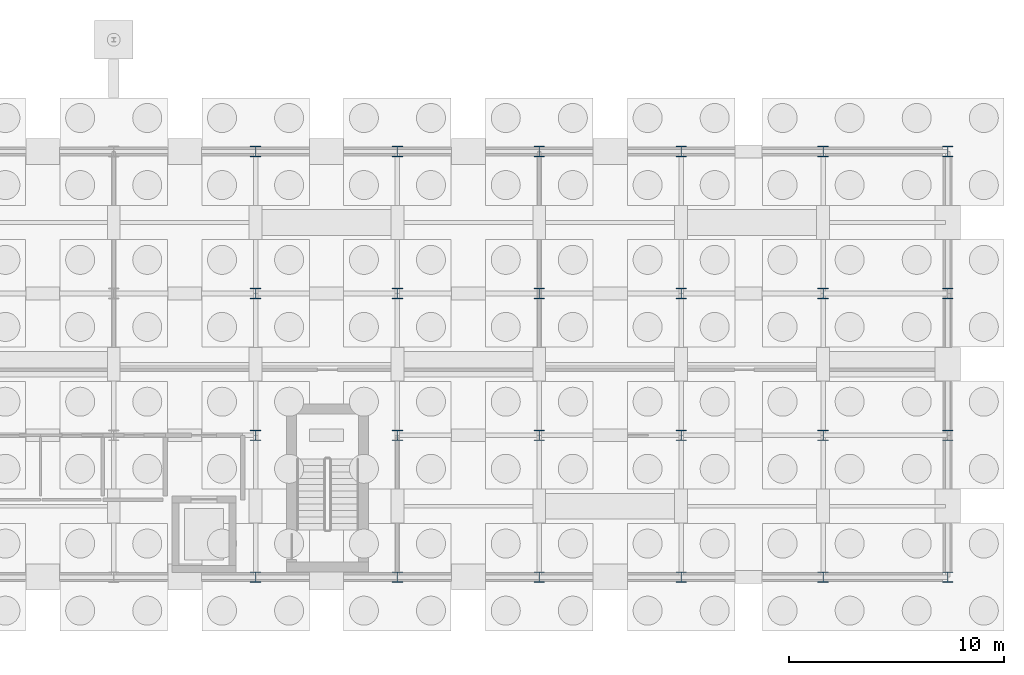
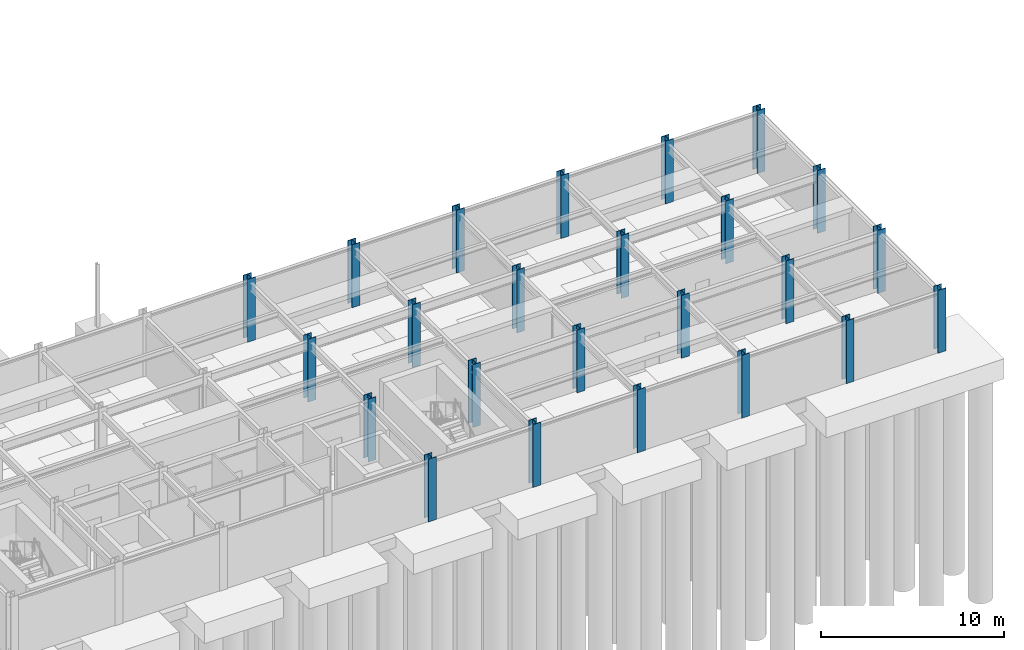
# One storey, part 22 of 58: 24 columns.
"""IFC4 building model written with IfcOpenShell, lengths in metres."""

from ifc_helpers import new_model, si_unit, direction, frame, origin, origin_2d, place, context, subcontext, project, spatial, i_section, extrude, material, material_profile, profile_set, type_object, element, save


model = new_model("IFC4")

# Units and contexts
model_context = context("Model", 3, precision=1e-05, world=origin(), true_north=direction((0.0, 1.0)))
body_context = subcontext(model_context, "Body", "Model", "MODEL_VIEW")
ifc_project = project(units=[si_unit("LENGTHUNIT", "METRE"), si_unit("AREAUNIT", "SQUARE_METRE"), si_unit("VOLUMEUNIT", "CUBIC_METRE"), si_unit("PLANEANGLEUNIT", "RADIAN"), si_unit("MASSUNIT", "GRAM", prefix="KILO")], contexts=[model_context])

# Site, building, storey
site_placement = place(None, origin())
site = spatial("IfcSite", under=ifc_project, at=site_placement, CompositionType="ELEMENT")
building_placement = place(site_placement, origin())
building = spatial("IfcBuilding", under=site, at=building_placement, Name="Karori Crest Natural Sciences Institute", CompositionType="ELEMENT")
storey_placement = place(building_placement, frame((0.0, 0.0, -4.199951171875)))
storey = spatial("IfcBuildingStorey", under=building, at=storey_placement, Name="B1", CompositionType="ELEMENT", Elevation=-4.199951171875)

# Columns
ifc_material = material(Name="Structural steel AS/NZS 3679.1 Grade 350", Category="steel")
ifc_material_profile = material_profile(ifc_material, i_section(OverallWidth=0.5, OverallDepth=0.5, WebThickness=0.02197265625, FlangeThickness=0.0400390625, FilletRadius=0.01611328125, at=origin_2d()), Name="500WC440")
ifc_profile_set = profile_set([ifc_material_profile], Name="Structural steel AS/NZS 3679.1 Grade 350")
column_type = type_object("IfcColumnType", Name="CT-01", PredefinedType="COLUMN", material=ifc_profile_set)
for number, where, z_axis, x_axis, name in (
    (1, (130.0, 0.800048828125, 0.0), (0.0, 0.0, 1.0), (1.0, 0.0, 0.0), "Column C-1209"),
    (2, (130.0, 7.39990234375, 0.0), (0.0, 0.0, 1.0), (1.0, 0.0, 0.0), "Column C-1221"),
    (3, (130.0, 14.0, 0.0), (0.0, 0.0, 1.0), (1.0, 0.0, 0.0), "Column C-1233"),
    (4, (130.0, 20.60009765625, 0.0), (0.0, 0.0, 1.0), (1.0, 0.0, 0.0), "Column C-1245"),
    (5, (136.60009765625, 0.800048828125, 0.0), (0.0, 0.0, 1.0), (1.0, 0.0, 0.0), "Column C-1257"),
    (6, (136.60009765625, 7.39990234375, 0.0), (0.0, 0.0, 1.0), (1.0, 0.0, 0.0), "Column C-1269"),
    (7, (136.60009765625, 14.0, 0.0), (0.0, 0.0, 1.0), (1.0, 0.0, 0.0), "Column C-1281"),
    (8, (136.60009765625, 20.60009765625, 0.0), (0.0, 0.0, 1.0), (1.0, 0.0, 0.0), "Column C-1293"),
    (9, (143.199951171875, 0.800048828125, 0.0), (0.0, 0.0, 1.0), (1.0, 0.0, 0.0), "Column C-1305"),
    (10, (143.199951171875, 7.39990234375, 0.0), (0.0, 0.0, 1.0), (1.0, 0.0, 0.0), "Column C-1316"),
    (11, (143.199951171875, 14.0, 0.0), (0.0, 0.0, 1.0), (1.0, 0.0, 0.0), "Column C-1327"),
    (12, (143.199951171875, 20.60009765625, 0.0), (0.0, 0.0, 1.0), (1.0, 0.0, 0.0), "Column C-1338"),
    (13, (149.800048828125, 0.800048828125, 0.0), (0.0, 0.0, 1.0), (1.0, 0.0, 0.0), "Column C-1349"),
    (14, (149.800048828125, 7.39990234375, 0.0), (0.0, 0.0, 1.0), (1.0, 0.0, 0.0), "Column C-1360"),
    (15, (149.800048828125, 14.0, 0.0), (0.0, 0.0, 1.0), (1.0, 0.0, 0.0), "Column C-1371"),
    (16, (149.800048828125, 20.60009765625, 0.0), (0.0, 0.0, 1.0), (1.0, 0.0, 0.0), "Column C-1382"),
    (17, (156.39990234375, 0.800048828125, 0.0), (0.0, 0.0, 1.0), (1.0, 0.0, 0.0), "Column C-1393"),
    (18, (156.39990234375, 7.39990234375, 0.0), (0.0, 0.0, 1.0), (1.0, 0.0, 0.0), "Column C-1402"),
    (19, (156.39990234375, 14.0, 0.0), (0.0, 0.0, 1.0), (1.0, 0.0, 0.0), "Column C-1411"),
    (20, (156.39990234375, 20.60009765625, 0.0), (0.0, 0.0, 1.0), (1.0, 0.0, 0.0), "Column C-1420"),
    (21, (162.199951171875, 0.800048828125, 0.0), (0.0, 0.0, 1.0), (1.0, 0.0, 0.0), "Column C-1429"),
    (22, (162.199951171875, 7.39990234375, 0.0), (0.0, 0.0, 1.0), (1.0, 0.0, 0.0), "Column C-1436"),
    (23, (162.199951171875, 14.0, 0.0), (0.0, 0.0, 1.0), (1.0, 0.0, 0.0), "Column C-1443"),
    (24, (162.199951171875, 20.60009765625, 0.0), (0.0, 0.0, 1.0), (1.0, 0.0, 0.0), "Column C-1450"),
):
    element("IfcColumn", number, at=place(storey_placement, frame(where, z_axis=z_axis, x_axis=x_axis)), inside=storey, type_object=column_type, Name=name, PredefinedType="COLUMN", context=body_context, shape_type="SweptSolid", body=[
        extrude(i_section(OverallWidth=0.5, OverallDepth=0.5, WebThickness=0.02197265625, FlangeThickness=0.0400390625, FilletRadius=0.01611328125, at=origin_2d()), origin(), (0.0, 0.0, 1.0), 4.199951171875),
    ])

save(model, "model.ifc")
